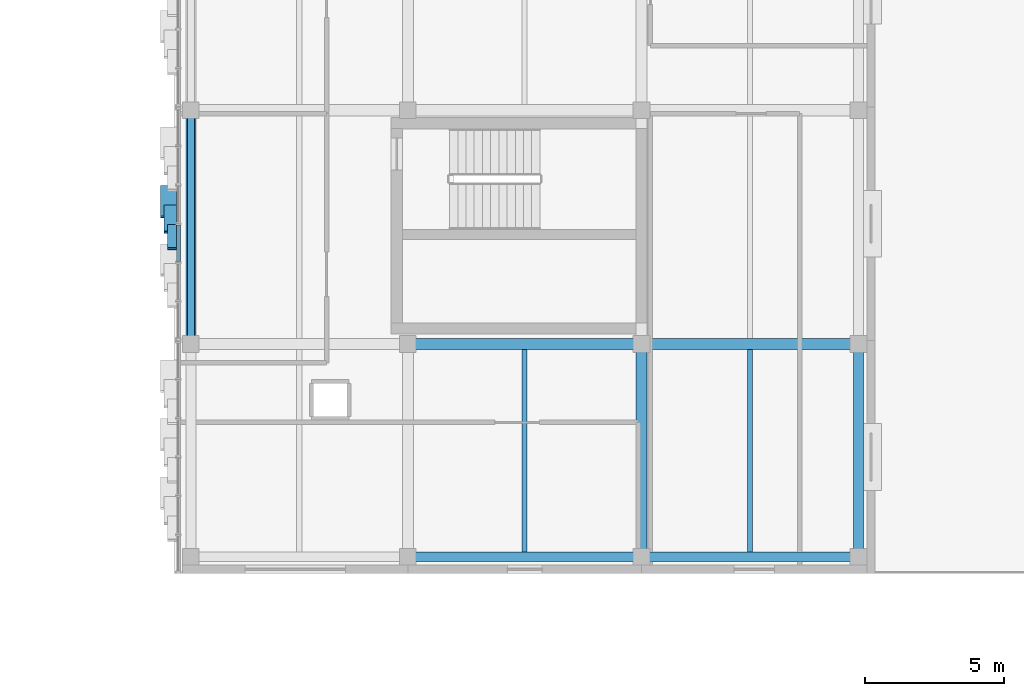
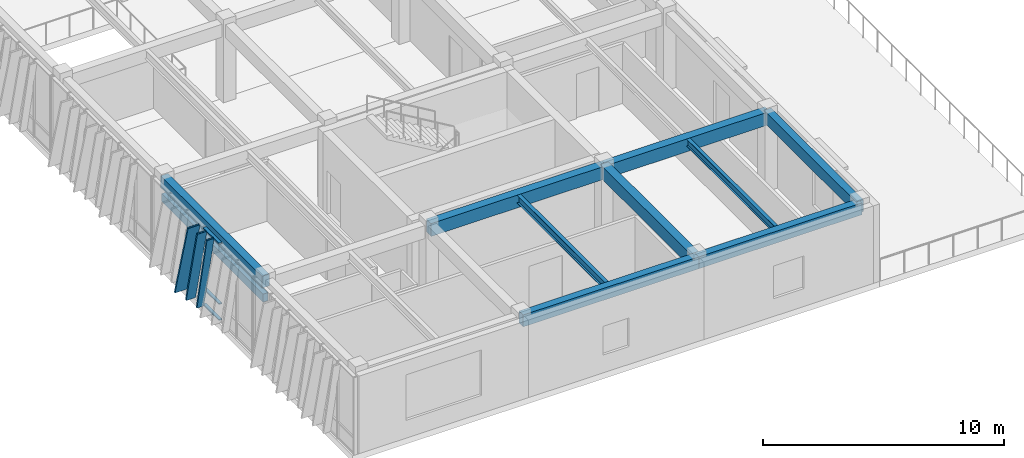
# One storey, part 30 of 127: 10 beams, 6 members, 1 element without a shape of its own.
"""IFC4 building model written with IfcOpenShell, lengths in metres."""

from ifc_helpers import new_model, si_unit, direction, frame, origin, origin_2d, place, context, subcontext, project, spatial, rectangle, hollow_rectangle, i_section, extrude, material, layer, layer_set, material_profile, profile_set, type_object, element, aggregate, save


model = new_model("IFC4")

# Units and contexts
model_context = context("Model", 3, precision=1e-05, world=origin(), true_north=direction((0.0, 1.0)))
body_context = subcontext(model_context, "Body", "Model", "MODEL_VIEW")
ifc_project = project(units=[si_unit("LENGTHUNIT", "METRE"), si_unit("AREAUNIT", "SQUARE_METRE"), si_unit("VOLUMEUNIT", "CUBIC_METRE"), si_unit("PLANEANGLEUNIT", "RADIAN"), si_unit("MASSUNIT", "GRAM", prefix="KILO")], contexts=[model_context])

# Site, building, storey
site_placement = place(None, origin())
site = spatial("IfcSite", under=ifc_project, at=site_placement, CompositionType="ELEMENT")
building_placement = place(site_placement, origin())
building = spatial("IfcBuilding", under=site, at=building_placement, Name="Zayran Congress Hotel", CompositionType="ELEMENT")
storey_placement = place(building_placement, frame((0.0, 0.0, 10.800048828125)))
storey = spatial("IfcBuildingStorey", under=building, at=storey_placement, Name="L02", CompositionType="ELEMENT", Elevation=10.800048828125)

# Beams
ifc_material_1 = material(Name="Concrete C40/50", Category="concrete")
ifc_material_profile_1 = material_profile(ifc_material_1, rectangle(XDim=0.39990234375, YDim=0.64990234375, at=origin_2d()), Name="RC 400x650")
ifc_profile_set_1 = profile_set([ifc_material_profile_1], Name="Concrete C40/50")
beam_type_1 = type_object("IfcBeamType", Name="TP-BM-03", PredefinedType="BEAM", material=ifc_profile_set_1)
beam_1_placement = place(storey_placement, frame((117.60009765625, 50.800048828125, 3.594970703125), z_axis=(1.0, 0.0, 0.0), x_axis=(0.0, 1.0, 0.0)))
element("IfcBeam", 1, at=beam_1_placement, inside=storey, type_object=beam_type_1, Name="BM-V4-L02-1416", PredefinedType="BEAM", context=body_context, shape_type="SweptSolid", body=[
    extrude(rectangle(XDim=0.39990234375, YDim=0.64990234375, at=origin_2d()), origin(), (0.0, 0.0, 1.0), 8.39990234375),
])
beam_2_placement = place(storey_placement, frame((126.0, 50.800048828125, 3.594970703125), z_axis=(1.0, 0.0, 0.0), x_axis=(0.0, 1.0, 0.0)))
element("IfcBeam", 2, at=beam_2_placement, inside=storey, type_object=beam_type_1, Name="BM-V4-L02-1417", PredefinedType="BEAM", context=body_context, shape_type="SweptSolid", body=[
    extrude(rectangle(XDim=0.39990234375, YDim=0.64990234375, at=origin_2d()), origin(), (0.0, 0.0, 1.0), 7.800048828125),
])
beam_3_placement = place(storey_placement, frame((126.0, 43.14990234375, 3.594970703125), z_axis=(0.0, 1.0, 0.0), x_axis=(-1.0, 0.0, 0.0)))
element("IfcBeam", 3, at=beam_3_placement, inside=storey, type_object=beam_type_1, Name="BM-V4-L02-1453", PredefinedType="BEAM", context=body_context, shape_type="SweptSolid", body=[
    extrude(rectangle(XDim=0.39990234375, YDim=0.64990234375, at=origin_2d()), origin(), (0.0, 0.0, 1.0), 7.650146484375),
])
ifc_material_profile_2 = material_profile(ifc_material_1, rectangle(XDim=0.35009765625, YDim=0.60009765625, at=origin_2d()), Name="RC 350x600")
ifc_profile_set_2 = profile_set([ifc_material_profile_2], Name="Concrete C40/50")
beam_type_2 = type_object("IfcBeamType", Name="TP-SP-01", PredefinedType="SPANDREL", material=ifc_profile_set_2)
beam_4_placement = place(storey_placement, frame((117.60009765625, 43.14990234375, 3.619873046875), z_axis=(1.0, 0.0, 0.0), x_axis=(0.0, 1.0, 0.0)))
element("IfcBeam", 4, at=beam_4_placement, inside=storey, type_object=beam_type_2, Name="BM-V4-L02-1413", PredefinedType="SPANDREL", context=body_context, shape_type="SweptSolid", body=[
    extrude(rectangle(XDim=0.35009765625, YDim=0.60009765625, at=origin_2d()), origin(), (0.0, 0.0, 1.0), 8.39990234375),
])
beam_5_placement = place(storey_placement, frame((126.0, 43.14990234375, 3.619873046875), z_axis=(1.0, 0.0, 0.0), x_axis=(0.0, 1.0, 0.0)))
element("IfcBeam", 5, at=beam_5_placement, inside=storey, type_object=beam_type_2, Name="BM-V4-L02-1414", PredefinedType="SPANDREL", context=body_context, shape_type="SweptSolid", body=[
    extrude(rectangle(XDim=0.35009765625, YDim=0.60009765625, at=origin_2d()), origin(), (0.0, 0.0, 1.0), 7.800048828125),
])
beam_6_placement = place(storey_placement, frame((109.800048828125, 50.800048828125, 3.619873046875), z_axis=(0.0, 1.0, 0.0), x_axis=(-1.0, 0.0, 0.0)))
element("IfcBeam", 6, at=beam_6_placement, inside=storey, type_object=beam_type_2, Name="BM-V4-L02-1440", PredefinedType="SPANDREL", context=body_context, shape_type="SweptSolid", body=[
    extrude(rectangle(XDim=0.35009765625, YDim=0.60009765625, at=origin_2d()), origin(), (0.0, 0.0, 1.0), 8.39990234375),
])
beam_7_placement = place(storey_placement, frame((133.800048828125, 43.14990234375, 3.619873046875), z_axis=(0.0, 1.0, 0.0), x_axis=(-1.0, 0.0, 0.0)))
element("IfcBeam", 7, at=beam_7_placement, inside=storey, type_object=beam_type_2, Name="BM-V4-L02-1461", PredefinedType="SPANDREL", context=body_context, shape_type="SweptSolid", body=[
    extrude(rectangle(XDim=0.35009765625, YDim=0.60009765625, at=origin_2d()), origin(), (0.0, 0.0, 1.0), 7.650146484375),
])
ifc_material_profile_3 = material_profile(ifc_material_1, rectangle(XDim=0.25, YDim=0.39990234375, at=origin_2d()), Name="RC 250x400")
ifc_profile_set_3 = profile_set([ifc_material_profile_3], Name="Concrete C40/50")
beam_type_3 = type_object("IfcBeamType", Name="TP-LN-01", PredefinedType="LINTEL", material=ifc_profile_set_3)
beam_8_placement = place(storey_placement, frame((109.800048828125, 50.800048828125, 2.800048828125), z_axis=(0.0, 1.0, 0.0), x_axis=(-1.0, 0.0, 0.0)))
element("IfcBeam", 8, at=beam_8_placement, inside=storey, type_object=beam_type_3, Name="BM-LIN-09", PredefinedType="LINTEL", context=body_context, shape_type="SweptSolid", body=[
    extrude(rectangle(XDim=0.25, YDim=0.39990234375, at=origin_2d()), origin(), (0.0, 0.0, 1.0), 8.39990234375),
])
ifc_material_2 = material(Name="Steel S355", Category="steel")
ifc_material_profile_4 = material_profile(ifc_material_2, i_section(OverallWidth=0.179931640625, OverallDepth=0.39990234375, WebThickness=0.008544921875, FlangeThickness=0.013427734375, at=origin_2d()), Name="IPE 400")
ifc_profile_set_4 = profile_set([ifc_material_profile_4], Name="Steel S355")
beam_type_4 = type_object("IfcBeamType", Name="TP-JS-03", PredefinedType="JOIST", material=ifc_profile_set_4)
beam_9_placement = place(storey_placement, frame((121.800048828125, 43.324951171875, 3.719970703125), z_axis=(0.0, 1.0, 0.0), x_axis=(-1.0, 0.0, 0.0)))
element("IfcBeam", 9, at=beam_9_placement, inside=storey, type_object=beam_type_4, Name="JST-V4-L02-1477", PredefinedType="JOIST", context=body_context, shape_type="SweptSolid", body=[
    extrude(i_section(OverallWidth=0.179931640625, OverallDepth=0.39990234375, WebThickness=0.008544921875, FlangeThickness=0.013427734375, at=origin_2d()), origin(), (0.0, 0.0, 1.0), 7.275146484375),
])
ifc_material_profile_5 = material_profile(ifc_material_2, i_section(OverallWidth=0.169921875, OverallDepth=0.360107421875, WebThickness=0.008056640625, FlangeThickness=0.0126953125, at=origin_2d()), Name="IPE 360")
ifc_profile_set_5 = profile_set([ifc_material_profile_5], Name="Steel S355")
beam_type_5 = type_object("IfcBeamType", Name="TP-JS-04", PredefinedType="JOIST", material=ifc_profile_set_5)
beam_10_placement = place(storey_placement, frame((129.89990234375, 43.324951171875, 3.739990234375), z_axis=(0.0, 1.0, 0.0), x_axis=(-1.0, 0.0, 0.0)))
element("IfcBeam", 10, at=beam_10_placement, inside=storey, type_object=beam_type_5, Name="JST-V4-L02-1483", PredefinedType="JOIST", context=body_context, shape_type="SweptSolid", body=[
    extrude(i_section(OverallWidth=0.169921875, OverallDepth=0.360107421875, WebThickness=0.008056640625, FlangeThickness=0.0126953125, at=origin_2d()), origin(), (0.0, 0.0, 1.0), 7.275146484375),
])

# Curtain wall, members
ifc_material_3 = material(Name="Anodised aluminium and low-E insulated glass", Category="aluminium")
ifc_layer = layer(ifc_material_3, 0.179931640625)
ifc_layer_set = layer_set([ifc_layer], Name="Anodised aluminium and low-E insulated glass")
curtain_wall_type = type_object("IfcCurtainWallType", Name="CW-V4W-L02-CW-52-8371-3920", PredefinedType="USERDEFINED", material=ifc_layer_set)
curtain_wall_placement = place(storey_placement, origin())
curtain_wall = element("IfcCurtainWall", 11, at=curtain_wall_placement, inside=storey, type_object=curtain_wall_type, Name="CW-V4W-L02-1", ObjectType="CURTAIN WALL", PredefinedType="USERDEFINED")
ifc_material_4 = material(Name="Anodised aluminium framing", Category="aluminium")
ifc_material_profile_6 = material_profile(ifc_material_4, hollow_rectangle(XDim=0.06005859375, YDim=0.14990234375, WallThickness=0.00390625, at=origin_2d()), Name="RHS 150x60x4")
ifc_profile_set_6 = profile_set([ifc_material_profile_6], Name="Anodised aluminium framing")
member_type_1 = type_object("IfcMemberType", Name="TP-CWT-01", PredefinedType="USERDEFINED", material=ifc_profile_set_6)
member_1_placement = place(storey_placement, frame((109.35009765625, 55.08154296875, 0.030029296875), z_axis=(0.0, -1.0, 0.0), x_axis=(0.0, 0.0, 1.0)))
member_1 = element("IfcMember", 12, at=member_1_placement, type_object=member_type_1, Name="CW-V4W-L02-1-T03-0", ObjectType="TRANSOM", PredefinedType="USERDEFINED", context=body_context, shape_type="SweptSolid", body=[
    extrude(hollow_rectangle(XDim=0.06005859375, YDim=0.14990234375, WallThickness=0.00390625, at=origin_2d()), origin(), (0.0, 0.0, 1.0), 1.315185546875),
])
member_2_placement = place(storey_placement, frame((109.35009765625, 55.08154296875, 0.83984375), z_axis=(0.0, -1.0, 0.0), x_axis=(0.0, 0.0, 1.0)))
member_2 = element("IfcMember", 13, at=member_2_placement, type_object=member_type_1, Name="CW-V4W-L02-1-T03-1", ObjectType="TRANSOM", PredefinedType="USERDEFINED", context=body_context, shape_type="SweptSolid", body=[
    extrude(hollow_rectangle(XDim=0.06005859375, YDim=0.14990234375, WallThickness=0.00390625, at=origin_2d()), origin(), (0.0, 0.0, 1.0), 1.315185546875),
])
member_3_placement = place(storey_placement, frame((109.35009765625, 55.08154296875, 3.889892578125), z_axis=(0.0, -1.0, 0.0), x_axis=(0.0, 0.0, 1.0)))
member_3 = element("IfcMember", 14, at=member_3_placement, type_object=member_type_1, Name="CW-V4W-L02-1-T03-2", ObjectType="TRANSOM", PredefinedType="USERDEFINED", context=body_context, shape_type="SweptSolid", body=[
    extrude(hollow_rectangle(XDim=0.06005859375, YDim=0.14990234375, WallThickness=0.00390625, at=origin_2d()), origin(), (0.0, 0.0, 1.0), 1.315185546875),
])
ifc_material_5 = material(Name="Warm bronze anodised aluminium", Category="aluminium")
ifc_material_profile_7 = material_profile(ifc_material_5, hollow_rectangle(XDim=0.080078125, YDim=0.580078125, WallThickness=0.006103515625, at=origin_2d()), Name="RHS 580x80x6")
ifc_profile_set_7 = profile_set([ifc_material_profile_7], Name="Warm bronze anodised aluminium")
member_type_2 = type_object("IfcMemberType", Name="TP-RFN-01", PredefinedType="MULLION", material=ifc_profile_set_7)
member_4_placement = place(storey_placement, frame((109.0, 56.45703125, 0.0), z_axis=(0.0, -0.267253820088, 0.963626170072), x_axis=(0.0, 0.963626170072, 0.267253820088)))
member_4 = element("IfcMember", 15, at=member_4_placement, type_object=member_type_2, Name="Slanting Reed Mullion CW-52-04", PredefinedType="MULLION", context=body_context, shape_type="SweptSolid", body=[
    extrude(hollow_rectangle(XDim=0.080078125, YDim=0.580078125, WallThickness=0.006103515625, at=origin_2d()), origin(), (0.0, 0.0, 1.0), 4.06787109375),
])
ifc_material_profile_8 = material_profile(ifc_material_5, hollow_rectangle(XDim=0.080078125, YDim=0.449951171875, WallThickness=0.006103515625, at=origin_2d()), Name="RHS 450x80x6")
ifc_profile_set_8 = profile_set([ifc_material_profile_8], Name="Warm bronze anodised aluminium")
member_type_3 = type_object("IfcMemberType", Name="TP-RFN-02", PredefinedType="MULLION", material=ifc_profile_set_8)
member_5_placement = place(storey_placement, frame((109.06494140625, 55.757080078125, 0.0), z_axis=(0.0, -0.233462281113, 0.972365858768), x_axis=(0.0, 0.972365858768, 0.233462281113)))
member_5 = element("IfcMember", 16, at=member_5_placement, type_object=member_type_3, Name="Slanting Reed Mullion CW-52-05", PredefinedType="MULLION", context=body_context, shape_type="SweptSolid", body=[
    extrude(hollow_rectangle(XDim=0.080078125, YDim=0.449951171875, WallThickness=0.006103515625, at=origin_2d()), origin(), (0.0, 0.0, 1.0), 4.03125),
])
ifc_material_profile_9 = material_profile(ifc_material_5, hollow_rectangle(XDim=0.080078125, YDim=0.340087890625, WallThickness=0.006103515625, at=origin_2d()), Name="RHS 340x80x6")
ifc_profile_set_9 = profile_set([ifc_material_profile_9], Name="Warm bronze anodised aluminium")
member_type_4 = type_object("IfcMemberType", Name="TP-RFN-03", PredefinedType="MULLION", material=ifc_profile_set_9)
member_6_placement = place(storey_placement, frame((109.1201171875, 55.056884765625, 0.0), z_axis=(0.0, -0.207864584765, 0.978157612249), x_axis=(0.0, 0.978157612249, 0.207864584765)))
member_6 = element("IfcMember", 17, at=member_6_placement, type_object=member_type_4, Name="Slanting Reed Mullion CW-52-06", PredefinedType="MULLION", context=body_context, shape_type="SweptSolid", body=[
    extrude(hollow_rectangle(XDim=0.080078125, YDim=0.340087890625, WallThickness=0.006103515625, at=origin_2d()), origin(), (0.0, 0.0, 1.0), 4.007568359375),
])
aggregate(curtain_wall, [member_1, member_2, member_3, member_4, member_5, member_6])

save(model, "model.ifc")
